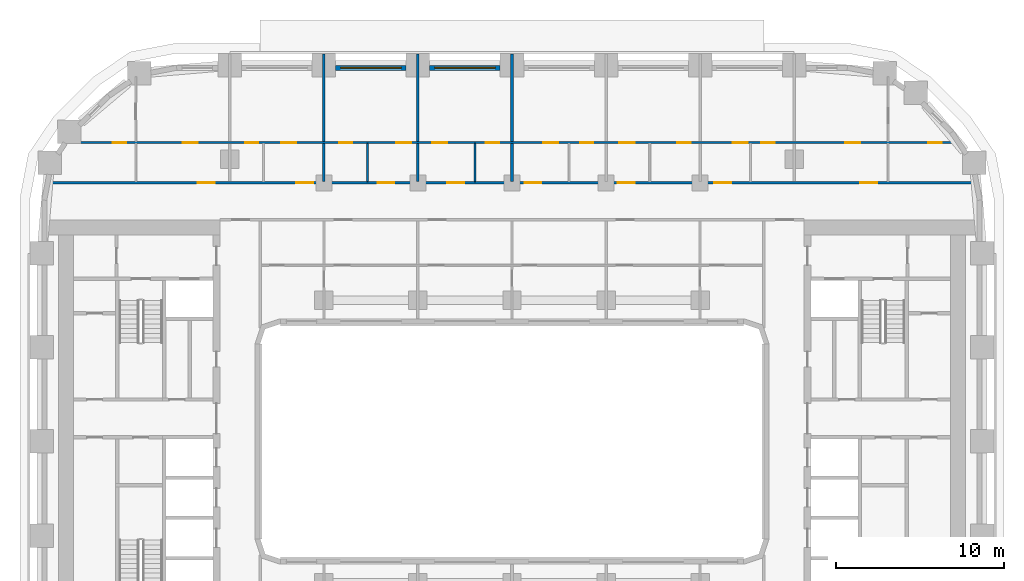
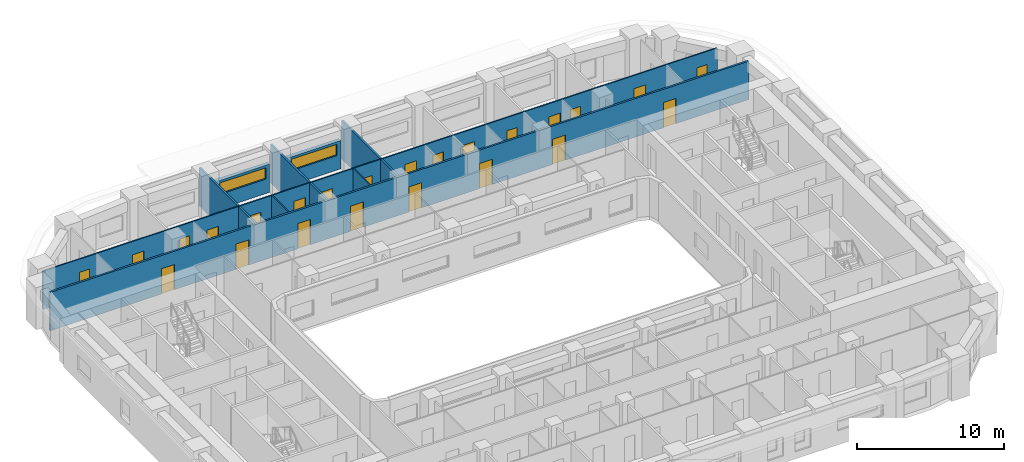
# One storey, part 9 of 22: 24 doors, 12 walls, 2 windows, 26 openings.
"""IFC4 building model written with IfcOpenShell, lengths in metres."""

from ifc_helpers import new_model, si_unit, direction, frame, frame_2d, origin, place, context, subcontext, project, spatial, rectangle, extrude, material, layer, layer_set, type_object, element, fill, save


model = new_model("IFC4")

# Units and contexts
model_context = context("Model", 3, precision=1e-05, world=origin(), true_north=direction((0.0, 1.0)))
body_context = subcontext(model_context, "Body", "Model", "MODEL_VIEW")
ifc_project = project(units=[si_unit("LENGTHUNIT", "METRE"), si_unit("AREAUNIT", "SQUARE_METRE"), si_unit("VOLUMEUNIT", "CUBIC_METRE"), si_unit("PLANEANGLEUNIT", "RADIAN"), si_unit("MASSUNIT", "GRAM", prefix="KILO")], contexts=[model_context])

# Site, building, storey
site_placement = place(None, origin())
site = spatial("IfcSite", under=ifc_project, at=site_placement, CompositionType="ELEMENT")
building_placement = place(site_placement, origin())
building = spatial("IfcBuilding", under=site, at=building_placement, Name="Kiln Ring Residences", CompositionType="ELEMENT")
storey_placement = place(building_placement, frame((0.0, 0.0, 65.5)))
storey = spatial("IfcBuildingStorey", under=building, at=storey_placement, Name="L16", CompositionType="ELEMENT", Elevation=65.5)

# Wall, opening, window
ifc_material_1 = material(Name="Brick masonry, dark clay brick", Category="masonry")
ifc_layer_1 = layer(ifc_material_1, 0.300048828125)
ifc_layer_set_1 = layer_set([ifc_layer_1], Name="EW-300 BRICK WALL")
wall_type_1 = type_object("IfcWallType", Name="EW-300 BRICK WALL", PredefinedType="SOLIDWALL", material=ifc_layer_set_1)
wall_1_placement = place(storey_placement, frame((-0.699951171875, 22.25, 0.0), z_axis=(0.0, 0.0, 1.0), x_axis=(-1.0, 0.0, 0.0)))
wall_1 = element("IfcWall", 1, at=wall_1_placement, inside=storey, type_object=wall_type_1, Name="Facade wall L16 32", PredefinedType="SOLIDWALL", context=body_context, shape_type="SweptSolid", body=[
    extrude(rectangle(XDim=4.199951171875, YDim=0.300048828125, at=frame_2d((2.10009765625, 0.0))), origin(), (0.0, 0.0, 1.0), 2.35009765625),
])
opening_1_placement = place(wall_1_placement, frame((0.300048828125, 0.0, 1.199951171875)))
opening_1 = element("IfcOpeningElement", 2, at=opening_1_placement, cuts=wall_1, Name="Opening W4", PredefinedType="OPENING", context=body_context, shape_type="SweptSolid", body=[
    extrude(rectangle(XDim=3.60009765625, YDim=0.949951171875, at=frame_2d((1.800048828125, 0.47509765625))), frame((0.0, 0.159912109375, 0.0), z_axis=(0.0, -1.0, 0.0), x_axis=(1.0, 0.0, 0.0)), (0.0, 0.0, 1.0), 0.320068359375),
])
ifc_material_2 = material(Name="Aluminium frame with double glazing", Category="aluminium")
window_type = type_object("IfcWindowType", Name="WINDOW 3600 x 950", PartitioningType="SINGLE_PANEL", PredefinedType="WINDOW", material=ifc_material_2)
window_1_placement = place(opening_1_placement, origin())
window_1 = element("IfcWindow", 3, at=window_1_placement, inside=storey, type_object=window_type, Name="Window L16 17", OverallHeight=0.949951171875, OverallWidth=3.60009765625, PartitioningType="SINGLE_PANEL", PredefinedType="WINDOW", context=body_context, shape_type="SweptSolid", body=[
    extrude(rectangle(XDim=3.60009765625, YDim=0.949951171875, at=frame_2d((1.800048828125, 0.47509765625))), frame((0.0, 0.030029296875, 0.0), z_axis=(0.0, -1.0, 0.0), x_axis=(1.0, 0.0, 0.0)), (0.0, 0.0, 1.0), 0.06005859375),
])
fill(opening_1, window_1)

wall_2_placement = place(storey_placement, frame((-6.300048828125, 22.25, 0.0), z_axis=(0.0, 0.0, 1.0), x_axis=(-1.0, 0.0, 0.0)))
wall_2 = element("IfcWall", 4, at=wall_2_placement, inside=storey, type_object=wall_type_1, Name="Facade wall L16 33", PredefinedType="SOLIDWALL", context=body_context, shape_type="SweptSolid", body=[
    extrude(rectangle(XDim=4.199951171875, YDim=0.300048828125, at=frame_2d((2.10009765625, 0.0))), origin(), (0.0, 0.0, 1.0), 2.35009765625),
])
opening_2_placement = place(wall_2_placement, frame((0.300048828125, 0.0, 1.199951171875)))
opening_2 = element("IfcOpeningElement", 5, at=opening_2_placement, cuts=wall_2, Name="Opening W4", PredefinedType="OPENING", context=body_context, shape_type="SweptSolid", body=[
    extrude(rectangle(XDim=3.60009765625, YDim=0.949951171875, at=frame_2d((1.800048828125, 0.47509765625))), frame((0.0, 0.159912109375, 0.0), z_axis=(0.0, -1.0, 0.0), x_axis=(1.0, 0.0, 0.0)), (0.0, 0.0, 1.0), 0.320068359375),
])
window_2_placement = place(opening_2_placement, origin())
window_2 = element("IfcWindow", 6, at=window_2_placement, inside=storey, type_object=window_type, Name="Window L16 18", OverallHeight=0.949951171875, OverallWidth=3.60009765625, PartitioningType="SINGLE_PANEL", PredefinedType="WINDOW", context=body_context, shape_type="SweptSolid", body=[
    extrude(rectangle(XDim=3.60009765625, YDim=0.949951171875, at=frame_2d((1.800048828125, 0.47509765625))), frame((0.0, 0.030029296875, 0.0), z_axis=(0.0, -1.0, 0.0), x_axis=(1.0, 0.0, 0.0)), (0.0, 0.0, 1.0), 0.06005859375),
])
fill(opening_2, window_2)

# Wall, openings, doors
ifc_material_3 = material(Name="Gypsum board on steel studs", Category="steel")
ifc_layer_2 = layer(ifc_material_3, 0.10009765625)
ifc_layer_set_2 = layer_set([ifc_layer_2], Name="PARTITION-100")
wall_type_2 = type_object("IfcWallType", Name="PARTITION-100", PredefinedType="PARTITIONING", material=ifc_layer_set_2)
wall_3_placement = place(storey_placement, frame((-26.639892578125, 17.800048828125, 0.0), z_axis=(0.0, 0.0, 1.0), x_axis=(1.0, 0.0, 0.0)))
wall_3 = element("IfcWall", 7, at=wall_3_placement, inside=storey, type_object=wall_type_2, Name="Partition 007", PredefinedType="PARTITIONING", context=body_context, shape_type="SweptSolid", body=[
    extrude(rectangle(XDim=53.033935546875, YDim=0.10009765625, at=frame_2d((26.51708984375, 0.0))), origin(), (0.0, 0.0, 1.0), 3.199951171875),
])
opening_3_placement = place(wall_3_placement, frame((2.8720703125, 0.0, 0.0)))
opening_3 = element("IfcOpeningElement", 8, at=opening_3_placement, cuts=wall_3, Name="Opening L16-D018", PredefinedType="OPENING", context=body_context, shape_type="SweptSolid", body=[
    extrude(rectangle(XDim=0.800048828125, YDim=2.10009765625, at=frame_2d((0.39990234375, 1.050048828125))), frame((0.0, 0.06005859375, 0.0), z_axis=(0.0, -1.0, 0.0), x_axis=(1.0, 0.0, 0.0)), (0.0, 0.0, 1.0), 0.1201171875),
])
opening_4_placement = place(wall_3_placement, frame((7.0400390625, 0.0, 0.0)))
opening_4 = element("IfcOpeningElement", 9, at=opening_4_placement, cuts=wall_3, Name="Opening L16-D019", PredefinedType="OPENING", context=body_context, shape_type="SweptSolid", body=[
    extrude(rectangle(XDim=0.89990234375, YDim=2.10009765625, at=frame_2d((0.449951171875, 1.050048828125))), frame((0.0, 0.06005859375, 0.0), z_axis=(0.0, -1.0, 0.0), x_axis=(1.0, 0.0, 0.0)), (0.0, 0.0, 1.0), 0.1201171875),
])
opening_5_placement = place(wall_3_placement, frame((10.739990234375, 0.0, 0.0)))
opening_5 = element("IfcOpeningElement", 10, at=opening_5_placement, cuts=wall_3, Name="Opening L16-D022", PredefinedType="OPENING", context=body_context, shape_type="SweptSolid", body=[
    extrude(rectangle(XDim=0.800048828125, YDim=2.10009765625, at=frame_2d((0.39990234375, 1.050048828125))), frame((0.0, 0.06005859375, 0.0), z_axis=(0.0, -1.0, 0.0), x_axis=(1.0, 0.0, 0.0)), (0.0, 0.0, 1.0), 0.1201171875),
])
opening_6_placement = place(wall_3_placement, frame((12.889892578125, 0.0, 0.0)))
opening_6 = element("IfcOpeningElement", 11, at=opening_6_placement, cuts=wall_3, Name="Opening L16-D023", PredefinedType="OPENING", context=body_context, shape_type="SweptSolid", body=[
    extrude(rectangle(XDim=0.89990234375, YDim=2.10009765625, at=frame_2d((0.449951171875, 1.050048828125))), frame((0.0, 0.06005859375, 0.0), z_axis=(0.0, -1.0, 0.0), x_axis=(1.0, 0.0, 0.0)), (0.0, 0.0, 1.0), 0.1201171875),
])
opening_7_placement = place(wall_3_placement, frame((16.340087890625, 0.0, 0.0)))
opening_7 = element("IfcOpeningElement", 12, at=opening_7_placement, cuts=wall_3, Name="Opening L16-D025", PredefinedType="OPENING", context=body_context, shape_type="SweptSolid", body=[
    extrude(rectangle(XDim=0.800048828125, YDim=2.10009765625, at=frame_2d((0.39990234375, 1.050048828125))), frame((0.0, 0.06005859375, 0.0), z_axis=(0.0, -1.0, 0.0), x_axis=(1.0, 0.0, 0.0)), (0.0, 0.0, 1.0), 0.1201171875),
])
opening_8_placement = place(wall_3_placement, frame((19.739990234375, 0.0, 0.0)))
opening_8 = element("IfcOpeningElement", 13, at=opening_8_placement, cuts=wall_3, Name="Opening L16-D026", PredefinedType="OPENING", context=body_context, shape_type="SweptSolid", body=[
    extrude(rectangle(XDim=0.89990234375, YDim=2.10009765625, at=frame_2d((0.449951171875, 1.050048828125))), frame((0.0, 0.06005859375, 0.0), z_axis=(0.0, -1.0, 0.0), x_axis=(1.0, 0.0, 0.0)), (0.0, 0.0, 1.0), 0.1201171875),
])
opening_9_placement = place(wall_3_placement, frame((25.090087890625, 0.0, 0.0)))
opening_9 = element("IfcOpeningElement", 14, at=opening_9_placement, cuts=wall_3, Name="Opening L16-D028", PredefinedType="OPENING", context=body_context, shape_type="SweptSolid", body=[
    extrude(rectangle(XDim=0.800048828125, YDim=2.10009765625, at=frame_2d((0.39990234375, 1.050048828125))), frame((0.0, 0.06005859375, 0.0), z_axis=(0.0, -1.0, 0.0), x_axis=(1.0, 0.0, 0.0)), (0.0, 0.0, 1.0), 0.1201171875),
])
opening_10_placement = place(wall_3_placement, frame((21.889892578125, 0.0, 0.0)))
opening_10 = element("IfcOpeningElement", 15, at=opening_10_placement, cuts=wall_3, Name="Opening L16-D029", PredefinedType="OPENING", context=body_context, shape_type="SweptSolid", body=[
    extrude(rectangle(XDim=0.89990234375, YDim=2.10009765625, at=frame_2d((0.449951171875, 1.050048828125))), frame((0.0, 0.06005859375, 0.0), z_axis=(0.0, -1.0, 0.0), x_axis=(1.0, 0.0, 0.0)), (0.0, 0.0, 1.0), 0.1201171875),
])
opening_11_placement = place(wall_3_placement, frame((30.68994140625, 0.0, 0.0)))
opening_11 = element("IfcOpeningElement", 16, at=opening_11_placement, cuts=wall_3, Name="Opening L16-D031", PredefinedType="OPENING", context=body_context, shape_type="SweptSolid", body=[
    extrude(rectangle(XDim=0.800048828125, YDim=2.10009765625, at=frame_2d((0.39990234375, 1.050048828125))), frame((0.0, 0.06005859375, 0.0), z_axis=(0.0, -1.0, 0.0), x_axis=(1.0, 0.0, 0.0)), (0.0, 0.0, 1.0), 0.1201171875),
])
opening_12_placement = place(wall_3_placement, frame((28.489990234375, 0.0, 0.0)))
opening_12 = element("IfcOpeningElement", 17, at=opening_12_placement, cuts=wall_3, Name="Opening L16-D032", PredefinedType="OPENING", context=body_context, shape_type="SweptSolid", body=[
    extrude(rectangle(XDim=0.89990234375, YDim=2.10009765625, at=frame_2d((0.449951171875, 1.050048828125))), frame((0.0, 0.06005859375, 0.0), z_axis=(0.0, -1.0, 0.0), x_axis=(1.0, 0.0, 0.0)), (0.0, 0.0, 1.0), 0.1201171875),
])
opening_13_placement = place(wall_3_placement, frame((36.489990234375, 0.0, 0.0)))
opening_13 = element("IfcOpeningElement", 18, at=opening_13_placement, cuts=wall_3, Name="Opening L16-D034", PredefinedType="OPENING", context=body_context, shape_type="SweptSolid", body=[
    extrude(rectangle(XDim=0.800048828125, YDim=2.10009765625, at=frame_2d((0.39990234375, 1.050048828125))), frame((0.0, 0.06005859375, 0.0), z_axis=(0.0, -1.0, 0.0), x_axis=(1.0, 0.0, 0.0)), (0.0, 0.0, 1.0), 0.1201171875),
])
opening_14_placement = place(wall_3_placement, frame((33.0400390625, 0.0, 0.0)))
opening_14 = element("IfcOpeningElement", 19, at=opening_14_placement, cuts=wall_3, Name="Opening L16-D035", PredefinedType="OPENING", context=body_context, shape_type="SweptSolid", body=[
    extrude(rectangle(XDim=0.89990234375, YDim=2.10009765625, at=frame_2d((0.449951171875, 1.050048828125))), frame((0.0, 0.06005859375, 0.0), z_axis=(0.0, -1.0, 0.0), x_axis=(1.0, 0.0, 0.0)), (0.0, 0.0, 1.0), 0.1201171875),
])
opening_15_placement = place(wall_3_placement, frame((41.489990234375, 0.0, 0.0)))
opening_15 = element("IfcOpeningElement", 20, at=opening_15_placement, cuts=wall_3, Name="Opening L16-D037", PredefinedType="OPENING", context=body_context, shape_type="SweptSolid", body=[
    extrude(rectangle(XDim=0.800048828125, YDim=2.10009765625, at=frame_2d((0.39990234375, 1.050048828125))), frame((0.0, 0.06005859375, 0.0), z_axis=(0.0, -1.0, 0.0), x_axis=(1.0, 0.0, 0.0)), (0.0, 0.0, 1.0), 0.1201171875),
])
opening_16_placement = place(wall_3_placement, frame((39.7900390625, 0.0, 0.0)))
opening_16 = element("IfcOpeningElement", 21, at=opening_16_placement, cuts=wall_3, Name="Opening L16-D038", PredefinedType="OPENING", context=body_context, shape_type="SweptSolid", body=[
    extrude(rectangle(XDim=0.89990234375, YDim=2.10009765625, at=frame_2d((0.449951171875, 1.050048828125))), frame((0.0, 0.06005859375, 0.0), z_axis=(0.0, -1.0, 0.0), x_axis=(1.0, 0.0, 0.0)), (0.0, 0.0, 1.0), 0.1201171875),
])
opening_17_placement = place(wall_3_placement, frame((51.43994140625, 0.0, 0.0)))
opening_17 = element("IfcOpeningElement", 22, at=opening_17_placement, cuts=wall_3, Name="Opening L16-D040", PredefinedType="OPENING", context=body_context, shape_type="SweptSolid", body=[
    extrude(rectangle(XDim=0.800048828125, YDim=2.10009765625, at=frame_2d((0.39990234375, 1.050048828125))), frame((0.0, 0.06005859375, 0.0), z_axis=(0.0, -1.0, 0.0), x_axis=(1.0, 0.0, 0.0)), (0.0, 0.0, 1.0), 0.1201171875),
])
opening_18_placement = place(wall_3_placement, frame((46.489990234375, 0.0, 0.0)))
opening_18 = element("IfcOpeningElement", 23, at=opening_18_placement, cuts=wall_3, Name="Opening L16-D041", PredefinedType="OPENING", context=body_context, shape_type="SweptSolid", body=[
    extrude(rectangle(XDim=0.89990234375, YDim=2.10009765625, at=frame_2d((0.449951171875, 1.050048828125))), frame((0.0, 0.06005859375, 0.0), z_axis=(0.0, -1.0, 0.0), x_axis=(1.0, 0.0, 0.0)), (0.0, 0.0, 1.0), 0.1201171875),
])
ifc_material_4 = material(Name="Timber door leaf", Category="wood")
door_type_1 = type_object("IfcDoorType", Name="FLAT-DOOR-800-PL", OperationType="SINGLE_SWING_LEFT", PredefinedType="DOOR", material=ifc_material_4)
door_1_placement = place(opening_3_placement, origin())
door_1 = element("IfcDoor", 24, at=door_1_placement, inside=storey, type_object=door_type_1, Name="Door L16-D018", OperationType="SINGLE_SWING_RIGHT", OverallHeight=2.10009765625, OverallWidth=0.800048828125, PredefinedType="DOOR", context=body_context, shape_type="SweptSolid", body=[
    extrude(rectangle(XDim=0.800048828125, YDim=2.10009765625, at=frame_2d((0.39990234375, 1.050048828125))), frame((0.0, 0.02490234375, 0.0), z_axis=(0.0, -1.0, 0.0), x_axis=(1.0, 0.0, 0.0)), (0.0, 0.0, 1.0), 0.050048828125),
])
fill(opening_3, door_1)
door_2_placement = place(opening_5_placement, origin())
door_2 = element("IfcDoor", 25, at=door_2_placement, inside=storey, type_object=door_type_1, Name="Door L16-D022", OperationType="SINGLE_SWING_RIGHT", OverallHeight=2.10009765625, OverallWidth=0.800048828125, PredefinedType="DOOR", context=body_context, shape_type="SweptSolid", body=[
    extrude(rectangle(XDim=0.800048828125, YDim=2.10009765625, at=frame_2d((0.39990234375, 1.050048828125))), frame((0.0, 0.02490234375, 0.0), z_axis=(0.0, -1.0, 0.0), x_axis=(1.0, 0.0, 0.0)), (0.0, 0.0, 1.0), 0.050048828125),
])
fill(opening_5, door_2)
door_3_placement = place(opening_7_placement, origin())
door_3 = element("IfcDoor", 26, at=door_3_placement, inside=storey, type_object=door_type_1, Name="Door L16-D025", OperationType="SINGLE_SWING_LEFT", OverallHeight=2.10009765625, OverallWidth=0.800048828125, PredefinedType="DOOR", context=body_context, shape_type="SweptSolid", body=[
    extrude(rectangle(XDim=0.800048828125, YDim=2.10009765625, at=frame_2d((0.39990234375, 1.050048828125))), frame((0.0, 0.02490234375, 0.0), z_axis=(0.0, -1.0, 0.0), x_axis=(1.0, 0.0, 0.0)), (0.0, 0.0, 1.0), 0.050048828125),
])
fill(opening_7, door_3)
door_4_placement = place(opening_9_placement, origin())
door_4 = element("IfcDoor", 27, at=door_4_placement, inside=storey, type_object=door_type_1, Name="Door L16-D028", OperationType="SINGLE_SWING_RIGHT", OverallHeight=2.10009765625, OverallWidth=0.800048828125, PredefinedType="DOOR", context=body_context, shape_type="SweptSolid", body=[
    extrude(rectangle(XDim=0.800048828125, YDim=2.10009765625, at=frame_2d((0.39990234375, 1.050048828125))), frame((0.0, 0.02490234375, 0.0), z_axis=(0.0, -1.0, 0.0), x_axis=(1.0, 0.0, 0.0)), (0.0, 0.0, 1.0), 0.050048828125),
])
fill(opening_9, door_4)
door_5_placement = place(opening_11_placement, origin())
door_5 = element("IfcDoor", 28, at=door_5_placement, inside=storey, type_object=door_type_1, Name="Door L16-D031", OperationType="SINGLE_SWING_LEFT", OverallHeight=2.10009765625, OverallWidth=0.800048828125, PredefinedType="DOOR", context=body_context, shape_type="SweptSolid", body=[
    extrude(rectangle(XDim=0.800048828125, YDim=2.10009765625, at=frame_2d((0.39990234375, 1.050048828125))), frame((0.0, 0.02490234375, 0.0), z_axis=(0.0, -1.0, 0.0), x_axis=(1.0, 0.0, 0.0)), (0.0, 0.0, 1.0), 0.050048828125),
])
fill(opening_11, door_5)
door_6_placement = place(opening_13_placement, origin())
door_6 = element("IfcDoor", 29, at=door_6_placement, inside=storey, type_object=door_type_1, Name="Door L16-D034", OperationType="SINGLE_SWING_RIGHT", OverallHeight=2.10009765625, OverallWidth=0.800048828125, PredefinedType="DOOR", context=body_context, shape_type="SweptSolid", body=[
    extrude(rectangle(XDim=0.800048828125, YDim=2.10009765625, at=frame_2d((0.39990234375, 1.050048828125))), frame((0.0, 0.02490234375, 0.0), z_axis=(0.0, -1.0, 0.0), x_axis=(1.0, 0.0, 0.0)), (0.0, 0.0, 1.0), 0.050048828125),
])
fill(opening_13, door_6)
door_7_placement = place(opening_15_placement, origin())
door_7 = element("IfcDoor", 30, at=door_7_placement, inside=storey, type_object=door_type_1, Name="Door L16-D037", OperationType="SINGLE_SWING_LEFT", OverallHeight=2.10009765625, OverallWidth=0.800048828125, PredefinedType="DOOR", context=body_context, shape_type="SweptSolid", body=[
    extrude(rectangle(XDim=0.800048828125, YDim=2.10009765625, at=frame_2d((0.39990234375, 1.050048828125))), frame((0.0, 0.02490234375, 0.0), z_axis=(0.0, -1.0, 0.0), x_axis=(1.0, 0.0, 0.0)), (0.0, 0.0, 1.0), 0.050048828125),
])
fill(opening_15, door_7)
door_8_placement = place(opening_17_placement, origin())
door_8 = element("IfcDoor", 31, at=door_8_placement, inside=storey, type_object=door_type_1, Name="Door L16-D040", OperationType="SINGLE_SWING_RIGHT", OverallHeight=2.10009765625, OverallWidth=0.800048828125, PredefinedType="DOOR", context=body_context, shape_type="SweptSolid", body=[
    extrude(rectangle(XDim=0.800048828125, YDim=2.10009765625, at=frame_2d((0.39990234375, 1.050048828125))), frame((0.0, 0.02490234375, 0.0), z_axis=(0.0, -1.0, 0.0), x_axis=(1.0, 0.0, 0.0)), (0.0, 0.0, 1.0), 0.050048828125),
])
fill(opening_17, door_8)
ifc_material_5 = material(Name="Timber door leaf", Category="wood")
door_type_2 = type_object("IfcDoorType", Name="FLAT-DOOR-900-PL", OperationType="SINGLE_SWING_LEFT", PredefinedType="DOOR", material=ifc_material_5)
door_9_placement = place(opening_4_placement, origin())
door_9 = element("IfcDoor", 32, at=door_9_placement, inside=storey, type_object=door_type_2, Name="Door L16-D019", OperationType="SINGLE_SWING_LEFT", OverallHeight=2.10009765625, OverallWidth=0.89990234375, PredefinedType="DOOR", context=body_context, shape_type="SweptSolid", body=[
    extrude(rectangle(XDim=0.89990234375, YDim=2.10009765625, at=frame_2d((0.449951171875, 1.050048828125))), frame((0.0, 0.02490234375, 0.0), z_axis=(0.0, -1.0, 0.0), x_axis=(1.0, 0.0, 0.0)), (0.0, 0.0, 1.0), 0.050048828125),
])
fill(opening_4, door_9)
door_10_placement = place(opening_6_placement, origin())
door_10 = element("IfcDoor", 33, at=door_10_placement, inside=storey, type_object=door_type_2, Name="Door L16-D023", OperationType="SINGLE_SWING_RIGHT", OverallHeight=2.10009765625, OverallWidth=0.89990234375, PredefinedType="DOOR", context=body_context, shape_type="SweptSolid", body=[
    extrude(rectangle(XDim=0.89990234375, YDim=2.10009765625, at=frame_2d((0.449951171875, 1.050048828125))), frame((0.0, 0.02490234375, 0.0), z_axis=(0.0, -1.0, 0.0), x_axis=(1.0, 0.0, 0.0)), (0.0, 0.0, 1.0), 0.050048828125),
])
fill(opening_6, door_10)
door_11_placement = place(opening_8_placement, origin())
door_11 = element("IfcDoor", 34, at=door_11_placement, inside=storey, type_object=door_type_2, Name="Door L16-D026", OperationType="SINGLE_SWING_LEFT", OverallHeight=2.10009765625, OverallWidth=0.89990234375, PredefinedType="DOOR", context=body_context, shape_type="SweptSolid", body=[
    extrude(rectangle(XDim=0.89990234375, YDim=2.10009765625, at=frame_2d((0.449951171875, 1.050048828125))), frame((0.0, 0.02490234375, 0.0), z_axis=(0.0, -1.0, 0.0), x_axis=(1.0, 0.0, 0.0)), (0.0, 0.0, 1.0), 0.050048828125),
])
fill(opening_8, door_11)
door_12_placement = place(opening_10_placement, origin())
door_12 = element("IfcDoor", 35, at=door_12_placement, inside=storey, type_object=door_type_2, Name="Door L16-D029", OperationType="SINGLE_SWING_RIGHT", OverallHeight=2.10009765625, OverallWidth=0.89990234375, PredefinedType="DOOR", context=body_context, shape_type="SweptSolid", body=[
    extrude(rectangle(XDim=0.89990234375, YDim=2.10009765625, at=frame_2d((0.449951171875, 1.050048828125))), frame((0.0, 0.02490234375, 0.0), z_axis=(0.0, -1.0, 0.0), x_axis=(1.0, 0.0, 0.0)), (0.0, 0.0, 1.0), 0.050048828125),
])
fill(opening_10, door_12)
door_13_placement = place(opening_12_placement, origin())
door_13 = element("IfcDoor", 36, at=door_13_placement, inside=storey, type_object=door_type_2, Name="Door L16-D032", OperationType="SINGLE_SWING_LEFT", OverallHeight=2.10009765625, OverallWidth=0.89990234375, PredefinedType="DOOR", context=body_context, shape_type="SweptSolid", body=[
    extrude(rectangle(XDim=0.89990234375, YDim=2.10009765625, at=frame_2d((0.449951171875, 1.050048828125))), frame((0.0, 0.02490234375, 0.0), z_axis=(0.0, -1.0, 0.0), x_axis=(1.0, 0.0, 0.0)), (0.0, 0.0, 1.0), 0.050048828125),
])
fill(opening_12, door_13)
door_14_placement = place(opening_14_placement, origin())
door_14 = element("IfcDoor", 37, at=door_14_placement, inside=storey, type_object=door_type_2, Name="Door L16-D035", OperationType="SINGLE_SWING_LEFT", OverallHeight=2.10009765625, OverallWidth=0.89990234375, PredefinedType="DOOR", context=body_context, shape_type="SweptSolid", body=[
    extrude(rectangle(XDim=0.89990234375, YDim=2.10009765625, at=frame_2d((0.449951171875, 1.050048828125))), frame((0.0, 0.02490234375, 0.0), z_axis=(0.0, -1.0, 0.0), x_axis=(1.0, 0.0, 0.0)), (0.0, 0.0, 1.0), 0.050048828125),
])
fill(opening_14, door_14)
door_15_placement = place(opening_16_placement, origin())
door_15 = element("IfcDoor", 38, at=door_15_placement, inside=storey, type_object=door_type_2, Name="Door L16-D038", OperationType="SINGLE_SWING_LEFT", OverallHeight=2.10009765625, OverallWidth=0.89990234375, PredefinedType="DOOR", context=body_context, shape_type="SweptSolid", body=[
    extrude(rectangle(XDim=0.89990234375, YDim=2.10009765625, at=frame_2d((0.449951171875, 1.050048828125))), frame((0.0, 0.02490234375, 0.0), z_axis=(0.0, -1.0, 0.0), x_axis=(1.0, 0.0, 0.0)), (0.0, 0.0, 1.0), 0.050048828125),
])
fill(opening_16, door_15)
door_16_placement = place(opening_18_placement, origin())
door_16 = element("IfcDoor", 39, at=door_16_placement, inside=storey, type_object=door_type_2, Name="Door L16-D041", OperationType="SINGLE_SWING_LEFT", OverallHeight=2.10009765625, OverallWidth=0.89990234375, PredefinedType="DOOR", context=body_context, shape_type="SweptSolid", body=[
    extrude(rectangle(XDim=0.89990234375, YDim=2.10009765625, at=frame_2d((0.449951171875, 1.050048828125))), frame((0.0, 0.02490234375, 0.0), z_axis=(0.0, -1.0, 0.0), x_axis=(1.0, 0.0, 0.0)), (0.0, 0.0, 1.0), 0.050048828125),
])
fill(opening_18, door_16)

# Walls
for number, where, z_axis, x_axis, name in (
    (40, (-8.60009765625, 15.47509765625, 0.0), (0.0, 0.0, 1.0), (0.0, 1.0, 0.0), "Partition 028"),
    (41, (-2.199951171875, 15.47509765625, 0.0), (0.0, 0.0, 1.0), (0.0, 1.0, 0.0), "Partition 039"),
):
    element("IfcWall", number, at=place(storey_placement, frame(where, z_axis=z_axis, x_axis=x_axis)), inside=storey, type_object=wall_type_2, Name=name, PredefinedType="PARTITIONING", context=body_context, shape_type="SweptSolid", body=[
        extrude(rectangle(XDim=2.27490234375, YDim=0.10009765625, at=frame_2d((1.137451171875, 0.0))), origin(), (0.0, 0.0, 1.0), 3.199951171875),
    ])

# Wall, openings, doors
ifc_material_6 = material(Name="Brick masonry partition", Category="masonry")
ifc_layer_3 = layer(ifc_material_6, 0.14990234375)
ifc_layer_set_3 = layer_set([ifc_layer_3], Name="PARTITION-150-ei60")
wall_type_3 = type_object("IfcWallType", Name="PARTITION-150-ei60", PredefinedType="PARTITIONING", material=ifc_layer_set_3)
wall_4_placement = place(storey_placement, frame((-27.48388671875, 15.39990234375, 0.0), z_axis=(0.0, 0.0, 1.0), x_axis=(1.0, 0.0, 0.0)))
wall_4 = element("IfcWall", 42, at=wall_4_placement, inside=storey, type_object=wall_type_3, Name="Partition 006", PredefinedType="PARTITIONING", context=body_context, shape_type="SweptSolid", body=[
    extrude(rectangle(XDim=54.9677734375, YDim=0.14990234375, at=frame_2d((27.48388671875, 0.0))), origin(), (0.0, 0.0, 1.0), 3.199951171875),
])
opening_19_placement = place(wall_4_placement, frame((8.78369140625, 0.0, 0.0)))
opening_19 = element("IfcOpeningElement", 43, at=opening_19_placement, cuts=wall_4, Name="Opening L16-D017", PredefinedType="OPENING", context=body_context, shape_type="SweptSolid", body=[
    extrude(rectangle(XDim=1.0, YDim=2.10009765625, at=frame_2d((0.5, 1.050048828125))), frame((0.0, 0.0849609375, 0.0), z_axis=(0.0, -1.0, 0.0), x_axis=(1.0, 0.0, 0.0)), (0.0, 0.0, 1.0), 0.169921875),
])
opening_20_placement = place(wall_4_placement, frame((14.6337890625, 0.0, 0.0)))
opening_20 = element("IfcOpeningElement", 44, at=opening_20_placement, cuts=wall_4, Name="Opening L16-D021", PredefinedType="OPENING", context=body_context, shape_type="SweptSolid", body=[
    extrude(rectangle(XDim=1.0, YDim=2.10009765625, at=frame_2d((0.5, 1.050048828125))), frame((0.0, 0.0849609375, 0.0), z_axis=(0.0, -1.0, 0.0), x_axis=(1.0, 0.0, 0.0)), (0.0, 0.0, 1.0), 0.169921875),
])
opening_21_placement = place(wall_4_placement, frame((19.48388671875, 0.0, 0.0)))
opening_21 = element("IfcOpeningElement", 45, at=opening_21_placement, cuts=wall_4, Name="Opening L16-D024", PredefinedType="OPENING", context=body_context, shape_type="SweptSolid", body=[
    extrude(rectangle(XDim=1.0, YDim=2.10009765625, at=frame_2d((0.5, 1.050048828125))), frame((0.0, 0.0849609375, 0.0), z_axis=(0.0, -1.0, 0.0), x_axis=(1.0, 0.0, 0.0)), (0.0, 0.0, 1.0), 0.169921875),
])
opening_22_placement = place(wall_4_placement, frame((23.6337890625, 0.0, 0.0)))
opening_22 = element("IfcOpeningElement", 46, at=opening_22_placement, cuts=wall_4, Name="Opening L16-D027", PredefinedType="OPENING", context=body_context, shape_type="SweptSolid", body=[
    extrude(rectangle(XDim=1.0, YDim=2.10009765625, at=frame_2d((0.5, 1.050048828125))), frame((0.0, 0.0849609375, 0.0), z_axis=(0.0, -1.0, 0.0), x_axis=(1.0, 0.0, 0.0)), (0.0, 0.0, 1.0), 0.169921875),
])
opening_23_placement = place(wall_4_placement, frame((28.23388671875, 0.0, 0.0)))
opening_23 = element("IfcOpeningElement", 47, at=opening_23_placement, cuts=wall_4, Name="Opening L16-D030", PredefinedType="OPENING", context=body_context, shape_type="SweptSolid", body=[
    extrude(rectangle(XDim=1.0, YDim=2.10009765625, at=frame_2d((0.5, 1.050048828125))), frame((0.0, 0.0849609375, 0.0), z_axis=(0.0, -1.0, 0.0), x_axis=(1.0, 0.0, 0.0)), (0.0, 0.0, 1.0), 0.169921875),
])
opening_24_placement = place(wall_4_placement, frame((33.78369140625, 0.0, 0.0)))
opening_24 = element("IfcOpeningElement", 48, at=opening_24_placement, cuts=wall_4, Name="Opening L16-D033", PredefinedType="OPENING", context=body_context, shape_type="SweptSolid", body=[
    extrude(rectangle(XDim=1.0, YDim=2.10009765625, at=frame_2d((0.5, 1.050048828125))), frame((0.0, 0.0849609375, 0.0), z_axis=(0.0, -1.0, 0.0), x_axis=(1.0, 0.0, 0.0)), (0.0, 0.0, 1.0), 0.169921875),
])
opening_25_placement = place(wall_4_placement, frame((39.53369140625, 0.0, 0.0)))
opening_25 = element("IfcOpeningElement", 49, at=opening_25_placement, cuts=wall_4, Name="Opening L16-D036", PredefinedType="OPENING", context=body_context, shape_type="SweptSolid", body=[
    extrude(rectangle(XDim=1.0, YDim=2.10009765625, at=frame_2d((0.5, 1.050048828125))), frame((0.0, 0.0849609375, 0.0), z_axis=(0.0, -1.0, 0.0), x_axis=(1.0, 0.0, 0.0)), (0.0, 0.0, 1.0), 0.169921875),
])
opening_26_placement = place(wall_4_placement, frame((48.23388671875, 0.0, 0.0)))
opening_26 = element("IfcOpeningElement", 50, at=opening_26_placement, cuts=wall_4, Name="Opening L16-D039", PredefinedType="OPENING", context=body_context, shape_type="SweptSolid", body=[
    extrude(rectangle(XDim=1.0, YDim=2.10009765625, at=frame_2d((0.5, 1.050048828125))), frame((0.0, 0.0849609375, 0.0), z_axis=(0.0, -1.0, 0.0), x_axis=(1.0, 0.0, 0.0)), (0.0, 0.0, 1.0), 0.169921875),
])
ifc_material_7 = material(Name="Steel faced fire door leaf", Category="steel")
door_type_3 = type_object("IfcDoorType", Name="FLAT-DOOR-1000-FR", OperationType="SINGLE_SWING_LEFT", PredefinedType="DOOR", material=ifc_material_7)
door_17_placement = place(opening_19_placement, origin())
door_17 = element("IfcDoor", 51, at=door_17_placement, inside=storey, type_object=door_type_3, Name="Door L16-D017", OperationType="SINGLE_SWING_LEFT", OverallHeight=2.10009765625, OverallWidth=1.0, PredefinedType="DOOR", context=body_context, shape_type="SweptSolid", body=[
    extrude(rectangle(XDim=1.0, YDim=2.10009765625, at=frame_2d((0.5, 1.050048828125))), frame((0.0, 0.02490234375, 0.0), z_axis=(0.0, -1.0, 0.0), x_axis=(1.0, 0.0, 0.0)), (0.0, 0.0, 1.0), 0.050048828125),
])
fill(opening_19, door_17)
door_18_placement = place(opening_20_placement, origin())
door_18 = element("IfcDoor", 52, at=door_18_placement, inside=storey, type_object=door_type_3, Name="Door L16-D021", OperationType="SINGLE_SWING_LEFT", OverallHeight=2.10009765625, OverallWidth=1.0, PredefinedType="DOOR", context=body_context, shape_type="SweptSolid", body=[
    extrude(rectangle(XDim=1.0, YDim=2.10009765625, at=frame_2d((0.5, 1.050048828125))), frame((0.0, 0.02490234375, 0.0), z_axis=(0.0, -1.0, 0.0), x_axis=(1.0, 0.0, 0.0)), (0.0, 0.0, 1.0), 0.050048828125),
])
fill(opening_20, door_18)
door_19_placement = place(opening_21_placement, origin())
door_19 = element("IfcDoor", 53, at=door_19_placement, inside=storey, type_object=door_type_3, Name="Door L16-D024", OperationType="SINGLE_SWING_RIGHT", OverallHeight=2.10009765625, OverallWidth=1.0, PredefinedType="DOOR", context=body_context, shape_type="SweptSolid", body=[
    extrude(rectangle(XDim=1.0, YDim=2.10009765625, at=frame_2d((0.5, 1.050048828125))), frame((0.0, 0.02490234375, 0.0), z_axis=(0.0, -1.0, 0.0), x_axis=(1.0, 0.0, 0.0)), (0.0, 0.0, 1.0), 0.050048828125),
])
fill(opening_21, door_19)
door_20_placement = place(opening_22_placement, origin())
door_20 = element("IfcDoor", 54, at=door_20_placement, inside=storey, type_object=door_type_3, Name="Door L16-D027", OperationType="SINGLE_SWING_LEFT", OverallHeight=2.10009765625, OverallWidth=1.0, PredefinedType="DOOR", context=body_context, shape_type="SweptSolid", body=[
    extrude(rectangle(XDim=1.0, YDim=2.10009765625, at=frame_2d((0.5, 1.050048828125))), frame((0.0, 0.02490234375, 0.0), z_axis=(0.0, -1.0, 0.0), x_axis=(1.0, 0.0, 0.0)), (0.0, 0.0, 1.0), 0.050048828125),
])
fill(opening_22, door_20)
door_21_placement = place(opening_23_placement, origin())
door_21 = element("IfcDoor", 55, at=door_21_placement, inside=storey, type_object=door_type_3, Name="Door L16-D030", OperationType="SINGLE_SWING_RIGHT", OverallHeight=2.10009765625, OverallWidth=1.0, PredefinedType="DOOR", context=body_context, shape_type="SweptSolid", body=[
    extrude(rectangle(XDim=1.0, YDim=2.10009765625, at=frame_2d((0.5, 1.050048828125))), frame((0.0, 0.02490234375, 0.0), z_axis=(0.0, -1.0, 0.0), x_axis=(1.0, 0.0, 0.0)), (0.0, 0.0, 1.0), 0.050048828125),
])
fill(opening_23, door_21)
door_22_placement = place(opening_24_placement, origin())
door_22 = element("IfcDoor", 56, at=door_22_placement, inside=storey, type_object=door_type_3, Name="Door L16-D033", OperationType="SINGLE_SWING_LEFT", OverallHeight=2.10009765625, OverallWidth=1.0, PredefinedType="DOOR", context=body_context, shape_type="SweptSolid", body=[
    extrude(rectangle(XDim=1.0, YDim=2.10009765625, at=frame_2d((0.5, 1.050048828125))), frame((0.0, 0.02490234375, 0.0), z_axis=(0.0, -1.0, 0.0), x_axis=(1.0, 0.0, 0.0)), (0.0, 0.0, 1.0), 0.050048828125),
])
fill(opening_24, door_22)
door_23_placement = place(opening_25_placement, origin())
door_23 = element("IfcDoor", 57, at=door_23_placement, inside=storey, type_object=door_type_3, Name="Door L16-D036", OperationType="SINGLE_SWING_RIGHT", OverallHeight=2.10009765625, OverallWidth=1.0, PredefinedType="DOOR", context=body_context, shape_type="SweptSolid", body=[
    extrude(rectangle(XDim=1.0, YDim=2.10009765625, at=frame_2d((0.5, 1.050048828125))), frame((0.0, 0.02490234375, 0.0), z_axis=(0.0, -1.0, 0.0), x_axis=(1.0, 0.0, 0.0)), (0.0, 0.0, 1.0), 0.050048828125),
])
fill(opening_25, door_23)
door_24_placement = place(opening_26_placement, origin())
door_24 = element("IfcDoor", 58, at=door_24_placement, inside=storey, type_object=door_type_3, Name="Door L16-D039", OperationType="SINGLE_SWING_LEFT", OverallHeight=2.10009765625, OverallWidth=1.0, PredefinedType="DOOR", context=body_context, shape_type="SweptSolid", body=[
    extrude(rectangle(XDim=1.0, YDim=2.10009765625, at=frame_2d((0.5, 1.050048828125))), frame((0.0, 0.02490234375, 0.0), z_axis=(0.0, -1.0, 0.0), x_axis=(1.0, 0.0, 0.0)), (0.0, 0.0, 1.0), 0.050048828125),
])
fill(opening_26, door_24)

# Walls
wall_5_placement = place(storey_placement, frame((-11.199951171875, 15.47509765625, 0.0), z_axis=(0.0, 0.0, 1.0), x_axis=(0.0, 1.0, 0.0)))
element("IfcWall", 59, at=wall_5_placement, inside=storey, type_object=wall_type_3, Name="Partition 026", PredefinedType="PARTITIONING", context=body_context, shape_type="SweptSolid", body=[
    extrude(rectangle(XDim=2.27490234375, YDim=0.14990234375, at=frame_2d((1.137451171875, 0.0))), origin(), (0.0, 0.0, 1.0), 3.199951171875),
])
wall_6_placement = place(storey_placement, frame((-11.199951171875, 17.85009765625, 0.0), z_axis=(0.0, 0.0, 1.0), x_axis=(0.0, 1.0, 0.0)))
element("IfcWall", 60, at=wall_6_placement, inside=storey, type_object=wall_type_3, Name="Partition 027", PredefinedType="PARTITIONING", context=body_context, shape_type="SweptSolid", body=[
    extrude(rectangle(XDim=5.22998046875, YDim=0.14990234375, at=frame_2d((2.614990234375, 0.0))), origin(), (0.0, 0.0, 1.0), 3.199951171875),
])
wall_7_placement = place(storey_placement, frame((-5.60009765625, 15.47509765625, 0.0), z_axis=(0.0, 0.0, 1.0), x_axis=(0.0, 1.0, 0.0)))
element("IfcWall", 61, at=wall_7_placement, inside=storey, type_object=wall_type_3, Name="Partition 036", PredefinedType="PARTITIONING", context=body_context, shape_type="SweptSolid", body=[
    extrude(rectangle(XDim=2.27490234375, YDim=0.14990234375, at=frame_2d((1.137451171875, 0.0))), origin(), (0.0, 0.0, 1.0), 3.199951171875),
])
wall_8_placement = place(storey_placement, frame((-5.60009765625, 17.85009765625, 0.0), z_axis=(0.0, 0.0, 1.0), x_axis=(0.0, 1.0, 0.0)))
element("IfcWall", 62, at=wall_8_placement, inside=storey, type_object=wall_type_3, Name="Partition 037", PredefinedType="PARTITIONING", context=body_context, shape_type="SweptSolid", body=[
    extrude(rectangle(XDim=5.22998046875, YDim=0.14990234375, at=frame_2d((2.614990234375, 0.0))), origin(), (0.0, 0.0, 1.0), 3.199951171875),
])
wall_9_placement = place(storey_placement, frame((0.0, 15.47509765625, 0.0), z_axis=(0.0, 0.0, 1.0), x_axis=(0.0, 1.0, 0.0)))
element("IfcWall", 63, at=wall_9_placement, inside=storey, type_object=wall_type_3, Name="Partition 047", PredefinedType="PARTITIONING", context=body_context, shape_type="SweptSolid", body=[
    extrude(rectangle(XDim=2.27490234375, YDim=0.14990234375, at=frame_2d((1.137451171875, 0.0))), origin(), (0.0, 0.0, 1.0), 3.199951171875),
])
wall_10_placement = place(storey_placement, frame((0.0, 17.85009765625, 0.0), z_axis=(0.0, 0.0, 1.0), x_axis=(0.0, 1.0, 0.0)))
element("IfcWall", 64, at=wall_10_placement, inside=storey, type_object=wall_type_3, Name="Partition 048", PredefinedType="PARTITIONING", context=body_context, shape_type="SweptSolid", body=[
    extrude(rectangle(XDim=5.22998046875, YDim=0.14990234375, at=frame_2d((2.614990234375, 0.0))), origin(), (0.0, 0.0, 1.0), 3.199951171875),
])

save(model, "model.ifc")
